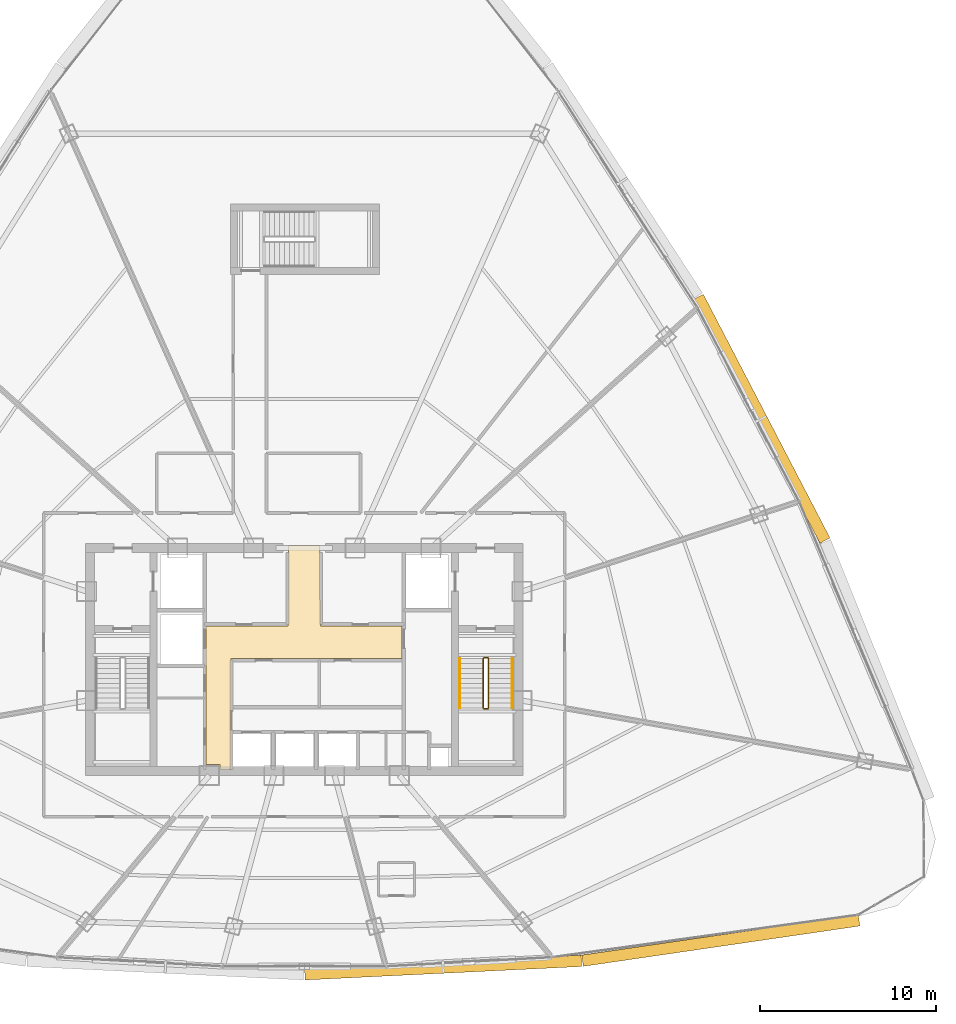
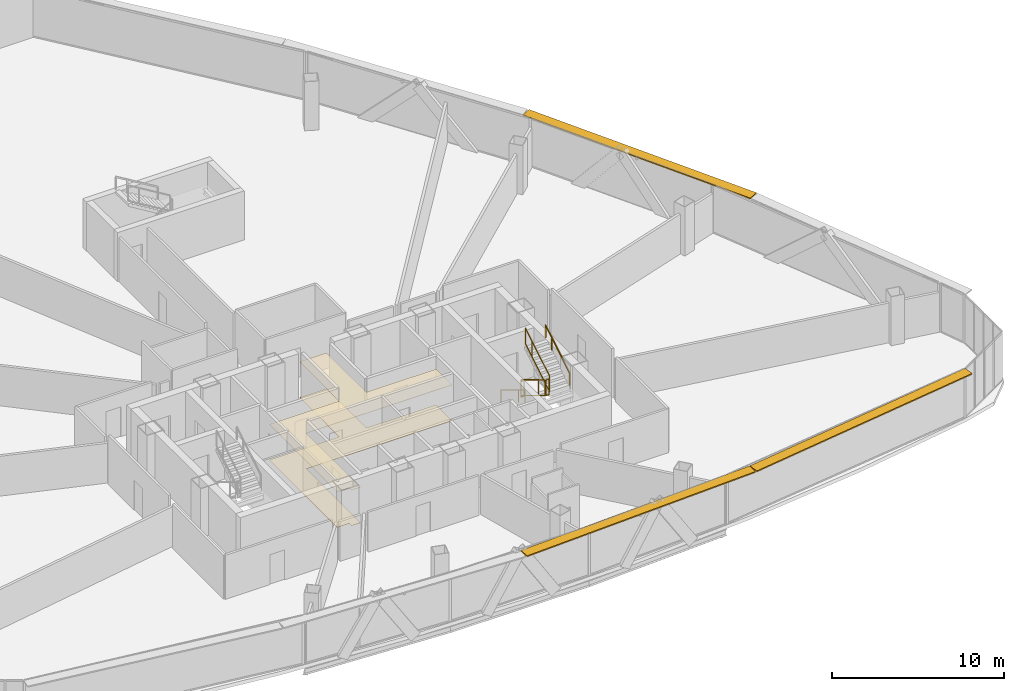
# One storey, part 34 of 36: 6 railings, 3 shading devices, 2 coverings.
"""IFC4 building model written with IfcOpenShell, lengths in metres."""

from ifc_helpers import new_model, si_unit, direction, frame, origin, origin_2d, place, context, subcontext, project, spatial, polyline, rectangle, outline, extrude, source, transform, mapped, material, layer, layer_set, type_object, element, save


model = new_model("IFC4")

# Units and contexts
model_context = context("Model", 3, precision=1e-05, world=origin(), true_north=direction((0.0, 1.0)))
body_context = subcontext(model_context, "Body", "Model", "MODEL_VIEW")
ifc_project = project(units=[si_unit("LENGTHUNIT", "METRE"), si_unit("AREAUNIT", "SQUARE_METRE"), si_unit("VOLUMEUNIT", "CUBIC_METRE"), si_unit("PLANEANGLEUNIT", "RADIAN"), si_unit("MASSUNIT", "GRAM", prefix="KILO"), si_unit("THERMODYNAMICTEMPERATUREUNIT", "KELVIN"), si_unit("POWERUNIT", "WATT")], contexts=[model_context])

# Site, building, storey
site_placement = place(None, origin())
site = spatial("IfcSite", under=ifc_project, at=site_placement, CompositionType="ELEMENT")
building_placement = place(site_placement, origin())
building = spatial("IfcBuilding", under=site, at=building_placement, Name="Yunzhuo Pagoda Commons", CompositionType="ELEMENT")
storey_placement = place(building_placement, frame((0.0, 0.0, 244.530029296875)))
storey = spatial("IfcBuildingStorey", under=building, at=storey_placement, Name="L61", CompositionType="ELEMENT", Elevation=244.530029296875)

# Coverings
ifc_material_1 = material(Name="Perforated gypsum acoustic ceiling tile")
ifc_layer_1 = layer(ifc_material_1, 0.030029296875)
ifc_layer_set_1 = layer_set([ifc_layer_1], Name="Perforated gypsum acoustic ceiling tile")
covering_type_1 = type_object("IfcCoveringType", Name="COV-CL2 Ceiling 30", PredefinedType="CEILING", material=ifc_layer_set_1)
covering_1_placement = place(storey_placement, frame((0.0, 0.0, 2.52001953125)))
element("IfcCovering", 1, at=covering_1_placement, inside=storey, type_object=covering_type_1, Name="L61 lift lobby acoustic ceiling", PredefinedType="CEILING", context=body_context, shape_type="SweptSolid", body=[
    extrude(outline(polyline([(42.39990234375, 35.75), (47.080078125, 35.75), (47.080078125, 37.25), (47.10009765625, 37.25), (47.10009765625, 40.35009765625), (48.89990234375, 40.35009765625), (48.89990234375, 37.25), (48.919921875, 37.25), (48.919921875, 35.75), (53.580078125, 35.75), (53.580078125, 33.89990234375), (43.820068359375, 33.89990234375), (43.820068359375, 27.60009765625), (43.207763671875, 27.60009765625), (43.207763671875, 27.85009765625), (43.201904296875, 27.864013671875), (43.187744140625, 27.8701171875), (42.39990234375, 27.8701171875), (42.39990234375, 33.89990234375), (42.39990234375, 35.75)])), origin(), (0.0, 0.0, 1.0), 0.030029296875),
])
ifc_material_2 = material(Name="Resilient acoustic studio flooring")
ifc_layer_2 = layer(ifc_material_2, 0.01806640625)
ifc_layer_set_2 = layer_set([ifc_layer_2], Name="Resilient acoustic studio flooring")
covering_type_2 = type_object("IfcCoveringType", Name="COV-FL3 Flooring 18", PredefinedType="FLOORING", material=ifc_layer_set_2)
covering_2_placement = place(storey_placement, origin())
element("IfcCovering", 2, at=covering_2_placement, inside=storey, type_object=covering_type_2, Name="L61 lift lobby flooring", PredefinedType="FLOORING", context=body_context, shape_type="SweptSolid", body=[
    extrude(outline(polyline([(42.39990234375, 35.75), (47.080078125, 35.75), (47.080078125, 37.25), (47.10009765625, 37.25), (47.10009765625, 40.35009765625), (48.89990234375, 40.35009765625), (48.89990234375, 37.25), (48.919921875, 37.25), (48.919921875, 35.75), (53.580078125, 35.75), (53.580078125, 33.89990234375), (43.820068359375, 33.89990234375), (43.820068359375, 27.60009765625), (43.207763671875, 27.60009765625), (43.207763671875, 27.85009765625), (43.201904296875, 27.864013671875), (43.187744140625, 27.8701171875), (42.39990234375, 27.8701171875), (42.39990234375, 33.89990234375), (42.39990234375, 35.75)])), origin(), (0.0, 0.0, 1.0), 0.01806640625),
])

# Railings
ifc_material_3 = material(Name="Anodized aluminium 6063-T6", Category="aluminium")
railing_type_1 = type_object("IfcRailingType", Name="GR-ST2 Stair Well Guardrail 1160", PredefinedType="GUARDRAIL", material=ifc_material_3)
railing_1_placement = place(storey_placement, frame((58.199951171875, 33.89990234375, 0.16943359375)))
element("IfcRailing", 3, at=railing_1_placement, inside=storey, type_object=railing_type_1, Name="L61 ST2 stair guard 1", PredefinedType="GUARDRAIL", context=body_context, shape_type="SweptSolid", body=[
    extrude(rectangle(XDim=0.048095703125, YDim=0.048095703125, at=origin_2d()), frame((0.0, 0.0, 1.1259765625), z_axis=(0.0, -0.855373106579, 0.518012401918), x_axis=(1.0, 0.0, 0.0)), (0.0, 0.0, 1.0), 3.273193359375),
    extrude(rectangle(XDim=0.048095703125, YDim=0.048095703125, at=origin_2d()), frame((0.0, 0.0, 0.02392578125), z_axis=(0.0, -0.855373106579, 0.518012401918), x_axis=(1.0, 0.0, 0.0)), (0.0, 0.0, 1.0), 3.273193359375),
    extrude(rectangle(XDim=0.0419921875, YDim=0.0419921875, at=origin_2d()), origin(), (0.0, 0.0, 1.0), 1.101806640625),
    extrude(rectangle(XDim=0.0419921875, YDim=0.0419921875, at=origin_2d()), frame((0.0, -2.052978515625, 1.2431640625)), (0.0, 0.0, 1.0), 1.101806640625),
    extrude(rectangle(XDim=0.0419921875, YDim=0.0419921875, at=origin_2d()), frame((0.0, -2.7998046875, 1.695556640625)), (0.0, 0.0, 1.0), 1.101806640625),
])
railing_2_placement = place(storey_placement, frame((58.25, 31.050048828125, 1.864990234375)))
element("IfcRailing", 4, at=railing_2_placement, inside=storey, type_object=railing_type_1, Name="L61 ST2 stair guard 2", PredefinedType="GUARDRAIL", context=body_context, shape_type="SweptSolid", body=[
    extrude(rectangle(XDim=0.048095703125, YDim=0.048095703125, at=origin_2d()), frame((0.0, 0.0, 1.1259765625), z_axis=(1.0, 0.0, 0.0), x_axis=(0.0, 1.0, 0.0)), (0.0, 0.0, 1.0), 0.199951171875),
    extrude(rectangle(XDim=0.048095703125, YDim=0.048095703125, at=origin_2d()), frame((0.0, 0.0, 0.02392578125), z_axis=(1.0, 0.0, 0.0), x_axis=(0.0, 1.0, 0.0)), (0.0, 0.0, 1.0), 0.199951171875),
    extrude(rectangle(XDim=0.0419921875, YDim=0.0419921875, at=origin_2d()), origin(), (0.0, 0.0, 1.0), 1.101806640625),
    extrude(rectangle(XDim=0.0419921875, YDim=0.0419921875, at=origin_2d()), frame((0.199951171875, 0.0, 0.0)), (0.0, 0.0, 1.0), 1.101806640625),
])
railing_3_placement = place(storey_placement, frame((58.5, 31.10009765625, 2.034423828125)))
element("IfcRailing", 5, at=railing_3_placement, inside=storey, type_object=railing_type_1, Name="L61 ST2 stair guard 3", PredefinedType="GUARDRAIL", context=body_context, shape_type="SweptSolid", body=[
    extrude(rectangle(XDim=0.048095703125, YDim=0.048095703125, at=origin_2d()), frame((0.0, 0.0, 1.1259765625), z_axis=(0.0, 0.855373106579, 0.518012401918), x_axis=(-1.0, 0.0, 0.0)), (0.0, 0.0, 1.0), 3.273193359375),
    extrude(rectangle(XDim=0.048095703125, YDim=0.048095703125, at=origin_2d()), frame((0.0, 0.0, 0.02392578125), z_axis=(0.0, 0.855373106579, 0.518012401918), x_axis=(-1.0, 0.0, 0.0)), (0.0, 0.0, 1.0), 3.273193359375),
    extrude(rectangle(XDim=0.0419921875, YDim=0.0419921875, at=origin_2d()), origin(), (0.0, 0.0, 1.0), 1.101806640625),
    extrude(rectangle(XDim=0.0419921875, YDim=0.0419921875, at=origin_2d()), frame((0.0, 2.052978515625, 1.2431640625)), (0.0, 0.0, 1.0), 1.101806640625),
    extrude(rectangle(XDim=0.0419921875, YDim=0.0419921875, at=origin_2d()), frame((0.0, 2.7998046875, 1.695556640625)), (0.0, 0.0, 1.0), 1.101806640625),
])
railing_4_placement = place(storey_placement, frame((58.25, 33.949951171875, 0.0)))
element("IfcRailing", 6, at=railing_4_placement, inside=storey, type_object=railing_type_1, Name="L61 ST2 stair guard 4", PredefinedType="GUARDRAIL", context=body_context, shape_type="SweptSolid", body=[
    extrude(rectangle(XDim=0.048095703125, YDim=0.048095703125, at=origin_2d()), frame((0.0, 0.0, 1.1259765625), z_axis=(1.0, 0.0, 0.0), x_axis=(0.0, 1.0, 0.0)), (0.0, 0.0, 1.0), 0.199951171875),
    extrude(rectangle(XDim=0.048095703125, YDim=0.048095703125, at=origin_2d()), frame((0.0, 0.0, 0.02392578125), z_axis=(1.0, 0.0, 0.0), x_axis=(0.0, 1.0, 0.0)), (0.0, 0.0, 1.0), 0.199951171875),
    extrude(rectangle(XDim=0.0419921875, YDim=0.0419921875, at=origin_2d()), origin(), (0.0, 0.0, 1.0), 1.101806640625),
    extrude(rectangle(XDim=0.0419921875, YDim=0.0419921875, at=origin_2d()), frame((0.199951171875, 0.0, 0.0)), (0.0, 0.0, 1.0), 1.101806640625),
])
railing_type_2 = type_object("IfcRailingType", Name="HR-ST2 Stair Handrail 900", PredefinedType="HANDRAIL", material=ifc_material_3)
railing_5_placement = place(storey_placement, frame((56.85009765625, 33.89990234375, 0.16943359375)))
element("IfcRailing", 7, at=railing_5_placement, inside=storey, type_object=railing_type_2, Name="L61 ST2 stair handrail 1", PredefinedType="HANDRAIL", context=body_context, shape_type="SweptSolid", body=[
    extrude(rectangle(XDim=0.048095703125, YDim=0.048095703125, at=origin_2d()), frame((0.0, 0.0, 0.8759765625), z_axis=(0.0, -0.855373106579, 0.518012401918), x_axis=(1.0, 0.0, 0.0)), (0.0, 0.0, 1.0), 3.273193359375),
    extrude(rectangle(XDim=0.0419921875, YDim=0.0419921875, at=origin_2d()), origin(), (0.0, 0.0, 1.0), 0.851806640625),
    extrude(rectangle(XDim=0.0419921875, YDim=0.0419921875, at=origin_2d()), frame((0.0, -2.052978515625, 1.2431640625)), (0.0, 0.0, 1.0), 0.851806640625),
    extrude(rectangle(XDim=0.0419921875, YDim=0.0419921875, at=origin_2d()), frame((0.0, -2.7998046875, 1.695556640625)), (0.0, 0.0, 1.0), 0.851806640625),
])
railing_6_placement = place(storey_placement, frame((59.85009765625, 31.10009765625, 2.034423828125)))
element("IfcRailing", 8, at=railing_6_placement, inside=storey, type_object=railing_type_2, Name="L61 ST2 stair handrail 2", PredefinedType="HANDRAIL", context=body_context, shape_type="SweptSolid", body=[
    extrude(rectangle(XDim=0.048095703125, YDim=0.048095703125, at=origin_2d()), frame((0.0, 0.0, 0.8759765625), z_axis=(0.0, 0.855373106579, 0.518012401918), x_axis=(-1.0, 0.0, 0.0)), (0.0, 0.0, 1.0), 3.273193359375),
    extrude(rectangle(XDim=0.0419921875, YDim=0.0419921875, at=origin_2d()), origin(), (0.0, 0.0, 1.0), 0.851806640625),
    extrude(rectangle(XDim=0.0419921875, YDim=0.0419921875, at=origin_2d()), frame((0.0, 2.052978515625, 1.2431640625)), (0.0, 0.0, 1.0), 0.851806640625),
    extrude(rectangle(XDim=0.0419921875, YDim=0.0419921875, at=origin_2d()), frame((0.0, 2.7998046875, 1.695556640625)), (0.0, 0.0, 1.0), 0.851806640625),
])

# Shading devices
ifc_layer_3 = layer(ifc_material_3, 0.080078125)
ifc_layer_set_3 = layer_set([ifc_layer_3], Name="Anodized aluminium 6063-T6")
shading_device_type = type_object("IfcShadingDeviceType", Name="SH-SUN1 Pagoda Horizontal Sunshade Eave 650", PredefinedType="USERDEFINED", material=ifc_layer_set_3)
shared_shape_1 = source(origin(), body_context, "Body", "SweptSolid", [
    extrude(rectangle(XDim=15.924560546875, YDim=0.64990234375, at=origin_2d()), origin(), (0.0, 0.0, 1.0), 0.080078125),
])
shading_device_1_placement = place(storey_placement, frame((71.730224609375, 17.8427734375, 3.389892578125), z_axis=(0.0, 0.0, 1.0), x_axis=(0.989510666697, 0.144459823108, 0.0)))
element("IfcShadingDevice", 9, at=shading_device_1_placement, inside=storey, type_object=shading_device_type, Name="L61 horizontal pagoda sunshade eave F1.4", ObjectType="SUNSHADE", PredefinedType="USERDEFINED", context=body_context, shape_type="MappedRepresentation", body=[
    mapped(shared_shape_1, transform((0.0, 0.0, 0.0), scale=1.0)),
])
shared_shape_2 = source(origin(), body_context, "Body", "SweptSolid", [
    extrude(rectangle(XDim=15.77587890625, YDim=0.64990234375, at=origin_2d()), origin(), (0.0, 0.0, 1.0), 0.080078125),
])
shading_device_2_placement = place(storey_placement, frame((55.91015625, 16.302978515625, 3.389892578125), z_axis=(0.0, 0.0, 1.0), x_axis=(0.998818043775, 0.04860571396, 0.0)))
element("IfcShadingDevice", 10, at=shading_device_2_placement, inside=storey, type_object=shading_device_type, Name="L61 horizontal pagoda sunshade eave F1.3", ObjectType="SUNSHADE", PredefinedType="USERDEFINED", context=body_context, shape_type="MappedRepresentation", body=[
    mapped(shared_shape_2, transform((0.0, 0.0, 0.0), scale=1.0)),
])
shared_shape_3 = source(origin(), body_context, "Body", "SweptSolid", [
    extrude(rectangle(XDim=15.646484375, YDim=0.64990234375, at=origin_2d()), origin(), (0.0, 0.0, 1.0), 0.080078125),
])
shading_device_3_placement = place(storey_placement, frame((74.056396484375, 47.569091796875, 3.389892578125), z_axis=(0.0, 0.0, 1.0), x_axis=(-0.461206683033, 0.88729273384, 0.0)))
element("IfcShadingDevice", 11, at=shading_device_3_placement, inside=storey, type_object=shading_device_type, Name="L61 horizontal pagoda sunshade eave F2.2", ObjectType="SUNSHADE", PredefinedType="USERDEFINED", context=body_context, shape_type="MappedRepresentation", body=[
    mapped(shared_shape_3, transform((0.0, 0.0, 0.0), scale=1.0)),
])

save(model, "model.ifc")
